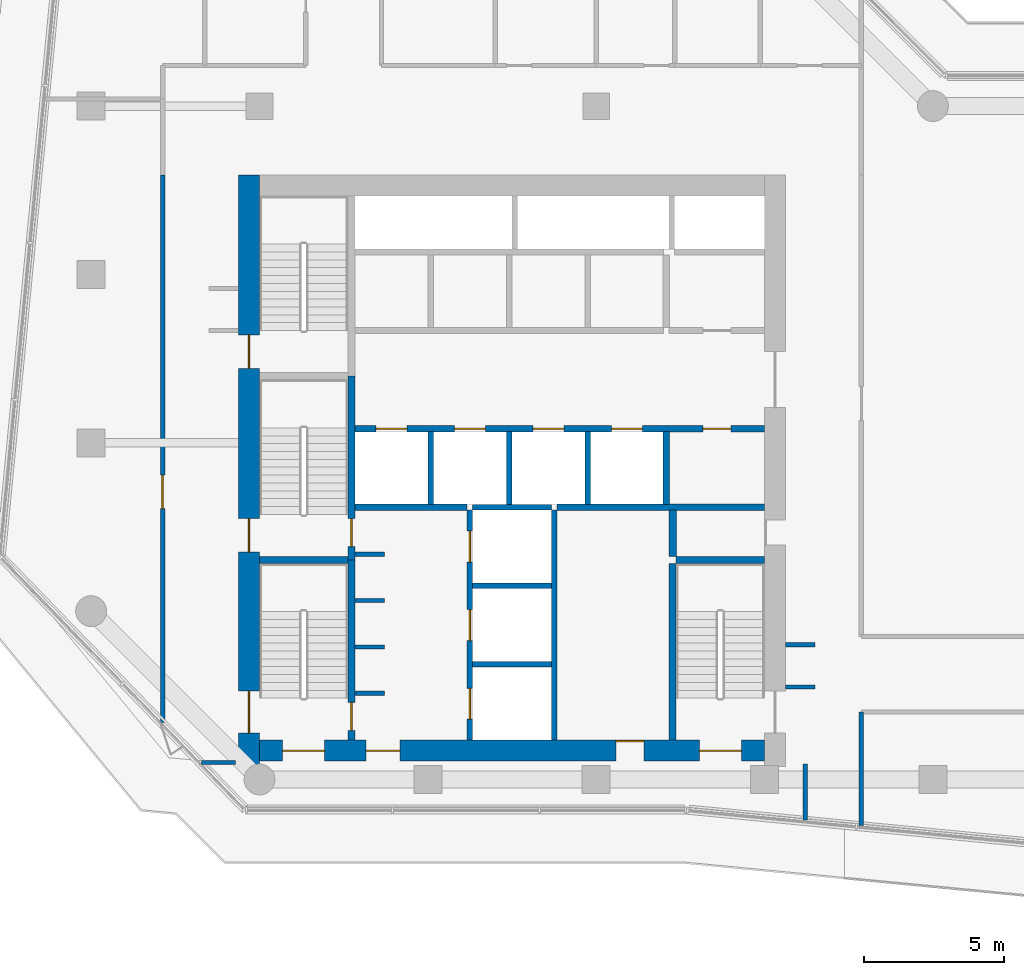
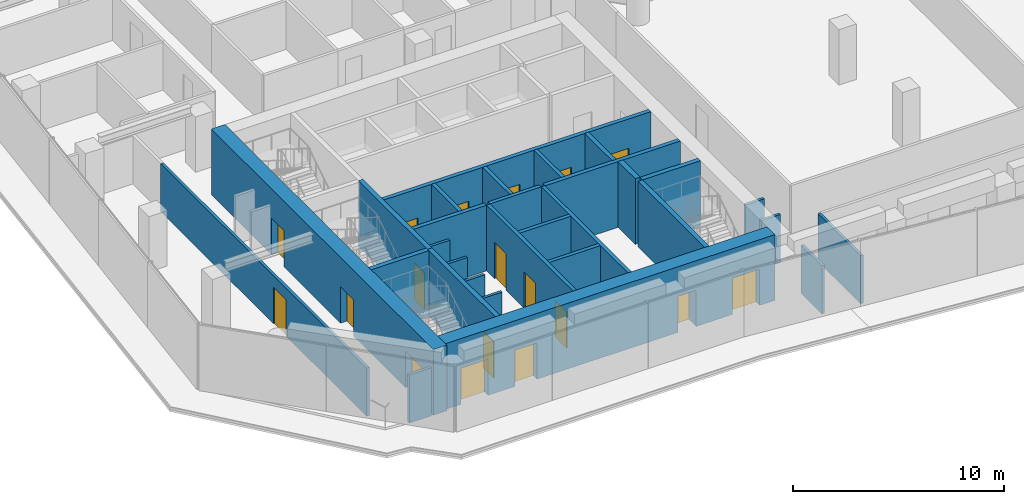
# One storey, part 8 of 12: 30 walls, 18 doors, 18 openings.
"""IFC4 building model written with IfcOpenShell, lengths in metres."""

from ifc_helpers import new_model, si_unit, direction, frame, frame_2d, origin, place, context, subcontext, project, spatial, rectangle, extrude, material, layer, layer_set, type_object, element, fill, save


model = new_model("IFC4")

# Units and contexts
model_context = context("Model", 3, precision=1e-05, world=origin(), true_north=direction((0.0, 1.0)))
body_context = subcontext(model_context, "Body", "Model", "MODEL_VIEW")
ifc_project = project(units=[si_unit("LENGTHUNIT", "METRE"), si_unit("AREAUNIT", "SQUARE_METRE"), si_unit("VOLUMEUNIT", "CUBIC_METRE"), si_unit("PLANEANGLEUNIT", "RADIAN"), si_unit("MASSUNIT", "GRAM", prefix="KILO")], contexts=[model_context])

# Site, building, storey
site_placement = place(None, origin())
site = spatial("IfcSite", under=ifc_project, at=site_placement, CompositionType="ELEMENT")
building_placement = place(site_placement, origin())
building = spatial("IfcBuilding", under=site, at=building_placement, Name="Welwitschia Terrace Campus", CompositionType="ELEMENT")
storey_placement = place(building_placement, frame((0.0, 0.0, 134.0)))
storey = spatial("IfcBuildingStorey", under=building, at=storey_placement, Name="L30", CompositionType="ELEMENT", Elevation=134.0)

# Walls
ifc_material_1 = material(Name="Concrete C32/40", Category="concrete")
ifc_layer_1 = layer(ifc_material_1, 0.22509765625)
ifc_layer_set_1 = layer_set([ifc_layer_1], Name="Concrete C32/40")
wall_type_1 = type_object("IfcWallType", Name="Core partition 225 Concrete C32/40", PredefinedType="PARTITIONING", material=ifc_layer_set_1)
wall_1_placement = place(storey_placement, frame((9.39990234375, 13.699951171875, 0.0), z_axis=(0.0, 0.0, 1.0), x_axis=(1.0, 0.0, 0.0)))
element("IfcWall", 1, at=wall_1_placement, inside=storey, type_object=wall_type_1, Name="Shaft wall", PredefinedType="PARTITIONING", context=body_context, shape_type="SweptSolid", body=[
    extrude(rectangle(XDim=4.0, YDim=0.22509765625, at=frame_2d((2.0, 0.0))), origin(), (0.0, 0.0, 1.0), 3.800048828125),
])
wall_2_placement = place(storey_placement, frame((16.60009765625, 13.699951171875, 0.0), z_axis=(0.0, 0.0, 1.0), x_axis=(1.0, 0.0, 0.0)))
element("IfcWall", 2, at=wall_2_placement, inside=storey, type_object=wall_type_1, Name="Shaft wall", PredefinedType="PARTITIONING", context=body_context, shape_type="SweptSolid", body=[
    extrude(rectangle(XDim=7.39990234375, YDim=0.22509765625, at=frame_2d((3.699951171875, 0.0))), origin(), (0.0, 0.0, 1.0), 3.800048828125),
])

# Wall, openings, doors
wall_3_placement = place(storey_placement, frame((9.39990234375, 16.5, 0.0), z_axis=(0.0, 0.0, 1.0), x_axis=(1.0, 0.0, 0.0)))
wall_3 = element("IfcWall", 3, at=wall_3_placement, inside=storey, type_object=wall_type_1, Name="Shaft wall", PredefinedType="PARTITIONING", context=body_context, shape_type="SweptSolid", body=[
    extrude(rectangle(XDim=14.60009765625, YDim=0.22509765625, at=frame_2d((7.300048828125, 0.0))), origin(), (0.0, 0.0, 1.0), 3.800048828125),
])
opening_1_placement = place(wall_3_placement, frame((0.75, 0.0, 0.0)))
opening_1 = element("IfcOpeningElement", 4, at=opening_1_placement, cuts=wall_3, Name="Opening LD", PredefinedType="OPENING", context=body_context, shape_type="SweptSolid", body=[
    extrude(rectangle(XDim=1.10009765625, YDim=2.10009765625, at=frame_2d((0.550048828125, 1.050048828125))), frame((0.0, 0.12255859375, 0.0), z_axis=(0.0, -1.0, 0.0), x_axis=(1.0, 0.0, 0.0)), (0.0, 0.0, 1.0), 0.2451171875),
])
opening_2_placement = place(wall_3_placement, frame((3.550048828125, 0.0, 0.0)))
opening_2 = element("IfcOpeningElement", 5, at=opening_2_placement, cuts=wall_3, Name="Opening LD", PredefinedType="OPENING", context=body_context, shape_type="SweptSolid", body=[
    extrude(rectangle(XDim=1.10009765625, YDim=2.10009765625, at=frame_2d((0.550048828125, 1.050048828125))), frame((0.0, 0.12255859375, 0.0), z_axis=(0.0, -1.0, 0.0), x_axis=(1.0, 0.0, 0.0)), (0.0, 0.0, 1.0), 0.2451171875),
])
opening_3_placement = place(wall_3_placement, frame((6.35009765625, 0.0, 0.0)))
opening_3 = element("IfcOpeningElement", 6, at=opening_3_placement, cuts=wall_3, Name="Opening LD", PredefinedType="OPENING", context=body_context, shape_type="SweptSolid", body=[
    extrude(rectangle(XDim=1.10009765625, YDim=2.10009765625, at=frame_2d((0.550048828125, 1.050048828125))), frame((0.0, 0.12255859375, 0.0), z_axis=(0.0, -1.0, 0.0), x_axis=(1.0, 0.0, 0.0)), (0.0, 0.0, 1.0), 0.2451171875),
])
opening_4_placement = place(wall_3_placement, frame((9.14990234375, 0.0, 0.0)))
opening_4 = element("IfcOpeningElement", 7, at=opening_4_placement, cuts=wall_3, Name="Opening LD", PredefinedType="OPENING", context=body_context, shape_type="SweptSolid", body=[
    extrude(rectangle(XDim=1.10009765625, YDim=2.10009765625, at=frame_2d((0.550048828125, 1.050048828125))), frame((0.0, 0.12255859375, 0.0), z_axis=(0.0, -1.0, 0.0), x_axis=(1.0, 0.0, 0.0)), (0.0, 0.0, 1.0), 0.2451171875),
])
opening_5_placement = place(wall_3_placement, frame((12.39990234375, 0.0, 0.0)))
opening_5 = element("IfcOpeningElement", 8, at=opening_5_placement, cuts=wall_3, Name="Opening DR10", PredefinedType="OPENING", context=body_context, shape_type="SweptSolid", body=[
    extrude(rectangle(XDim=1.0, YDim=2.10009765625, at=frame_2d((0.5, 1.050048828125))), frame((0.0, 0.12255859375, 0.0), z_axis=(0.0, -1.0, 0.0), x_axis=(1.0, 0.0, 0.0)), (0.0, 0.0, 1.0), 0.2451171875),
])
ifc_material_2 = material(Name="Steel S275", Category="steel")
door_type_1 = type_object("IfcDoorType", Name="Core door DR10", OperationType="SINGLE_SWING_LEFT", PredefinedType="DOOR", material=ifc_material_2)
door_1_placement = place(opening_5_placement, origin())
door_1 = element("IfcDoor", 9, at=door_1_placement, inside=storey, type_object=door_type_1, Name="Door EL-D", OperationType="SINGLE_SWING_RIGHT", OverallHeight=2.10009765625, OverallWidth=1.0, PredefinedType="DOOR", context=body_context, shape_type="SweptSolid", body=[
    extrude(rectangle(XDim=1.0, YDim=2.10009765625, at=frame_2d((0.5, 1.050048828125))), frame((0.0, 0.02490234375, 0.0), z_axis=(0.0, -1.0, 0.0), x_axis=(1.0, 0.0, 0.0)), (0.0, 0.0, 1.0), 0.050048828125),
])
fill(opening_5, door_1)
ifc_material_3 = material(Name="Stainless steel 304", Category="steel")
door_type_2 = type_object("IfcDoorType", Name="Lift landing door", OperationType="DOUBLE_DOOR_SLIDING", PredefinedType="DOOR", material=ifc_material_3)
door_2_placement = place(opening_1_placement, origin())
door_2 = element("IfcDoor", 10, at=door_2_placement, inside=storey, type_object=door_type_2, Name="Landing door LR1", OperationType="DOUBLE_DOOR_SLIDING", OverallHeight=2.10009765625, OverallWidth=1.10009765625, PredefinedType="DOOR", context=body_context, shape_type="SweptSolid", body=[
    extrude(rectangle(XDim=1.10009765625, YDim=2.10009765625, at=frame_2d((0.550048828125, 1.050048828125))), frame((0.0, 0.02490234375, 0.0), z_axis=(0.0, -1.0, 0.0), x_axis=(1.0, 0.0, 0.0)), (0.0, 0.0, 1.0), 0.050048828125),
])
fill(opening_1, door_2)
door_3_placement = place(opening_2_placement, origin())
door_3 = element("IfcDoor", 11, at=door_3_placement, inside=storey, type_object=door_type_2, Name="Landing door LR2", OperationType="DOUBLE_DOOR_SLIDING", OverallHeight=2.10009765625, OverallWidth=1.10009765625, PredefinedType="DOOR", context=body_context, shape_type="SweptSolid", body=[
    extrude(rectangle(XDim=1.10009765625, YDim=2.10009765625, at=frame_2d((0.550048828125, 1.050048828125))), frame((0.0, 0.02490234375, 0.0), z_axis=(0.0, -1.0, 0.0), x_axis=(1.0, 0.0, 0.0)), (0.0, 0.0, 1.0), 0.050048828125),
])
fill(opening_2, door_3)
door_4_placement = place(opening_3_placement, origin())
door_4 = element("IfcDoor", 12, at=door_4_placement, inside=storey, type_object=door_type_2, Name="Landing door LR3", OperationType="DOUBLE_DOOR_SLIDING", OverallHeight=2.10009765625, OverallWidth=1.10009765625, PredefinedType="DOOR", context=body_context, shape_type="SweptSolid", body=[
    extrude(rectangle(XDim=1.10009765625, YDim=2.10009765625, at=frame_2d((0.550048828125, 1.050048828125))), frame((0.0, 0.02490234375, 0.0), z_axis=(0.0, -1.0, 0.0), x_axis=(1.0, 0.0, 0.0)), (0.0, 0.0, 1.0), 0.050048828125),
])
fill(opening_3, door_4)
door_5_placement = place(opening_4_placement, origin())
door_5 = element("IfcDoor", 13, at=door_5_placement, inside=storey, type_object=door_type_2, Name="Landing door LR4", OperationType="DOUBLE_DOOR_SLIDING", OverallHeight=2.10009765625, OverallWidth=1.10009765625, PredefinedType="DOOR", context=body_context, shape_type="SweptSolid", body=[
    extrude(rectangle(XDim=1.10009765625, YDim=2.10009765625, at=frame_2d((0.550048828125, 1.050048828125))), frame((0.0, 0.02490234375, 0.0), z_axis=(0.0, -1.0, 0.0), x_axis=(1.0, 0.0, 0.0)), (0.0, 0.0, 1.0), 0.050048828125),
])
fill(opening_4, door_5)

# Walls
wall_4_placement = place(storey_placement, frame((20.5, 13.800048828125, 0.0), z_axis=(0.0, 0.0, 1.0), x_axis=(0.0, 1.0, 0.0)))
element("IfcWall", 14, at=wall_4_placement, inside=storey, type_object=wall_type_1, Name="Shaft wall", PredefinedType="PARTITIONING", context=body_context, shape_type="SweptSolid", body=[
    extrude(rectangle(XDim=2.599853515625, YDim=0.22509765625, at=frame_2d((1.2998046875, 0.0))), origin(), (0.0, 0.0, 1.0), 3.800048828125),
])
ifc_material_4 = material(Name="Concrete C32/40", Category="concrete")
ifc_layer_2 = layer(ifc_material_4, 0.27490234375)
ifc_layer_set_2 = layer_set([ifc_layer_2], Name="Concrete C32/40")
wall_type_2 = type_object("IfcWallType", Name="Core partition 275 Concrete C32/40", PredefinedType="PARTITIONING", material=ifc_layer_set_2)
wall_5_placement = place(storey_placement, frame((20.72509765625, 11.949951171875, 0.0), z_axis=(0.0, 0.0, 1.0), x_axis=(0.0, 1.0, 0.0)))
element("IfcWall", 15, at=wall_5_placement, inside=storey, type_object=wall_type_2, Name="Core partition", PredefinedType="PARTITIONING", context=body_context, shape_type="SweptSolid", body=[
    extrude(rectangle(XDim=1.650146484375, YDim=0.27490234375, at=frame_2d((0.8251953125, 0.0))), origin(), (0.0, 0.0, 1.0), 3.800048828125),
])
ifc_material_5 = material(Name="Concrete C50/60", Category="concrete")
ifc_layer_3 = layer(ifc_material_5, 0.14990234375)
ifc_layer_set_3 = layer_set([ifc_layer_3], Name="Concrete C50/60")
wall_type_3 = type_object("IfcWallType", Name="Core wall 150 Concrete C50/60", PredefinedType="SHEAR", material=ifc_layer_set_3)
for number, where, z_axis, x_axis, name in (
    (16, (9.39990234375, 7.074951171875, 0.0), (0.0, 0.0, 1.0), (1.0, 0.0, 0.0), "Core wall"),
    (17, (9.39990234375, 8.72509765625, 0.0), (0.0, 0.0, 1.0), (1.0, 0.0, 0.0), "Core wall"),
    (18, (9.39990234375, 10.375, 0.0), (0.0, 0.0, 1.0), (1.0, 0.0, 0.0), "Core wall"),
    (19, (9.39990234375, 12.02490234375, 0.0), (0.0, 0.0, 1.0), (1.0, 0.0, 0.0), "Core wall"),
):
    element("IfcWall", number, at=place(storey_placement, frame(where, z_axis=z_axis, x_axis=x_axis)), inside=storey, type_object=wall_type_3, Name=name, PredefinedType="SHEAR", context=body_context, shape_type="SweptSolid", body=[
        extrude(rectangle(XDim=1.050048828125, YDim=0.14990234375, at=frame_2d((0.52490234375, 0.0))), origin(), (0.0, 0.0, 1.0), 3.800048828125),
    ])
ifc_material_6 = material(Name="Concrete C50/60", Category="concrete")
ifc_layer_4 = layer(ifc_material_6, 0.199951171875)
ifc_layer_set_4 = layer_set([ifc_layer_4], Name="Concrete C50/60")
wall_type_4 = type_object("IfcWallType", Name="Core wall 200 Concrete C50/60", PredefinedType="SHEAR", material=ifc_layer_set_4)
for number, where, z_axis, x_axis, name in (
    (20, (13.60009765625, 8.10009765625, 0.0), (0.0, 0.0, 1.0), (1.0, 0.0, 0.0), "Core wall"),
    (21, (13.60009765625, 10.89990234375, 0.0), (0.0, 0.0, 1.0), (1.0, 0.0, 0.0), "Core wall"),
    (22, (13.60009765625, 13.699951171875, 0.0), (0.0, 0.0, 1.0), (1.0, 0.0, 0.0), "Core wall"),
):
    element("IfcWall", number, at=place(storey_placement, frame(where, z_axis=z_axis, x_axis=x_axis)), inside=storey, type_object=wall_type_4, Name=name, PredefinedType="SHEAR", context=body_context, shape_type="SweptSolid", body=[
        extrude(rectangle(XDim=2.7998046875, YDim=0.199951171875, at=frame_2d((1.39990234375, 0.0))), origin(), (0.0, 0.0, 1.0), 3.800048828125),
    ])

# Wall, openings, doors
wall_6_placement = place(storey_placement, frame((13.5, 5.39990234375, 0.0), z_axis=(0.0, 0.0, 1.0), x_axis=(0.0, 1.0, 0.0)))
wall_6 = element("IfcWall", 23, at=wall_6_placement, inside=storey, type_object=wall_type_4, Name="Core wall", PredefinedType="SHEAR", context=body_context, shape_type="SweptSolid", body=[
    extrude(rectangle(XDim=8.2001953125, YDim=0.199951171875, at=frame_2d((4.10009765625, 0.0))), origin(), (0.0, 0.0, 1.0), 3.800048828125),
])
opening_6_placement = place(wall_6_placement, frame((0.75, 0.0, 0.0)))
opening_6 = element("IfcOpeningElement", 24, at=opening_6_placement, cuts=wall_6, Name="Opening LD", PredefinedType="OPENING", context=body_context, shape_type="SweptSolid", body=[
    extrude(rectangle(XDim=1.10009765625, YDim=2.10009765625, at=frame_2d((0.550048828125, 1.050048828125))), frame((0.0, 0.10986328125, 0.0), z_axis=(0.0, -1.0, 0.0), x_axis=(1.0, 0.0, 0.0)), (0.0, 0.0, 1.0), 0.219970703125),
])
opening_7_placement = place(wall_6_placement, frame((3.550048828125, 0.0, 0.0)))
opening_7 = element("IfcOpeningElement", 25, at=opening_7_placement, cuts=wall_6, Name="Opening LD", PredefinedType="OPENING", context=body_context, shape_type="SweptSolid", body=[
    extrude(rectangle(XDim=1.10009765625, YDim=2.10009765625, at=frame_2d((0.550048828125, 1.050048828125))), frame((0.0, 0.10986328125, 0.0), z_axis=(0.0, -1.0, 0.0), x_axis=(1.0, 0.0, 0.0)), (0.0, 0.0, 1.0), 0.219970703125),
])
opening_8_placement = place(wall_6_placement, frame((6.35009765625, 0.0, 0.0)))
opening_8 = element("IfcOpeningElement", 26, at=opening_8_placement, cuts=wall_6, Name="Opening LD", PredefinedType="OPENING", context=body_context, shape_type="SweptSolid", body=[
    extrude(rectangle(XDim=1.10009765625, YDim=2.10009765625, at=frame_2d((0.550048828125, 1.050048828125))), frame((0.0, 0.10986328125, 0.0), z_axis=(0.0, -1.0, 0.0), x_axis=(1.0, 0.0, 0.0)), (0.0, 0.0, 1.0), 0.219970703125),
])
door_6_placement = place(opening_6_placement, origin())
door_6 = element("IfcDoor", 27, at=door_6_placement, inside=storey, type_object=door_type_2, Name="Landing door FF1", OperationType="DOUBLE_DOOR_SLIDING", OverallHeight=2.10009765625, OverallWidth=1.10009765625, PredefinedType="DOOR", context=body_context, shape_type="SweptSolid", body=[
    extrude(rectangle(XDim=1.10009765625, YDim=2.10009765625, at=frame_2d((0.550048828125, 1.050048828125))), frame((0.0, 0.02490234375, 0.0), z_axis=(0.0, -1.0, 0.0), x_axis=(1.0, 0.0, 0.0)), (0.0, 0.0, 1.0), 0.050048828125),
])
fill(opening_6, door_6)
door_7_placement = place(opening_7_placement, origin())
door_7 = element("IfcDoor", 28, at=door_7_placement, inside=storey, type_object=door_type_2, Name="Landing door FF2", OperationType="DOUBLE_DOOR_SLIDING", OverallHeight=2.10009765625, OverallWidth=1.10009765625, PredefinedType="DOOR", context=body_context, shape_type="SweptSolid", body=[
    extrude(rectangle(XDim=1.10009765625, YDim=2.10009765625, at=frame_2d((0.550048828125, 1.050048828125))), frame((0.0, 0.02490234375, 0.0), z_axis=(0.0, -1.0, 0.0), x_axis=(1.0, 0.0, 0.0)), (0.0, 0.0, 1.0), 0.050048828125),
])
fill(opening_7, door_7)
door_8_placement = place(opening_8_placement, origin())
door_8 = element("IfcDoor", 29, at=door_8_placement, inside=storey, type_object=door_type_2, Name="Landing door SV1", OperationType="DOUBLE_DOOR_SLIDING", OverallHeight=2.10009765625, OverallWidth=1.10009765625, PredefinedType="DOOR", context=body_context, shape_type="SweptSolid", body=[
    extrude(rectangle(XDim=1.10009765625, YDim=2.10009765625, at=frame_2d((0.550048828125, 1.050048828125))), frame((0.0, 0.02490234375, 0.0), z_axis=(0.0, -1.0, 0.0), x_axis=(1.0, 0.0, 0.0)), (0.0, 0.0, 1.0), 0.050048828125),
])
fill(opening_8, door_8)

# Walls
wall_7_placement = place(storey_placement, frame((16.5, 5.39990234375, 0.0), z_axis=(0.0, 0.0, 1.0), x_axis=(0.0, 1.0, 0.0)))
element("IfcWall", 30, at=wall_7_placement, inside=storey, type_object=wall_type_4, Name="Core wall", PredefinedType="SHEAR", context=body_context, shape_type="SweptSolid", body=[
    extrude(rectangle(XDim=8.2001953125, YDim=0.199951171875, at=frame_2d((4.10009765625, 0.0))), origin(), (0.0, 0.0, 1.0), 3.800048828125),
])
ifc_material_7 = material(Name="Concrete C50/60", Category="concrete")
ifc_layer_5 = layer(ifc_material_7, 0.25)
ifc_layer_set_5 = layer_set([ifc_layer_5], Name="Concrete C50/60")
wall_type_5 = type_object("IfcWallType", Name="Core wall 250 Concrete C50/60", PredefinedType="SHEAR", material=ifc_layer_set_5)
for number, where, z_axis, x_axis, name in (
    (31, (6.0, 11.824951171875, 0.0), (0.0, 0.0, 1.0), (1.0, 0.0, 0.0), "Core wall"),
    (32, (20.85009765625, 11.824951171875, 0.0), (0.0, 0.0, 1.0), (1.0, 0.0, 0.0), "Core wall"),
):
    element("IfcWall", number, at=place(storey_placement, frame(where, z_axis=z_axis, x_axis=x_axis)), inside=storey, type_object=wall_type_5, Name=name, PredefinedType="SHEAR", context=body_context, shape_type="SweptSolid", body=[
        extrude(rectangle(XDim=3.14990234375, YDim=0.25, at=frame_2d((1.574951171875, 0.0))), origin(), (0.0, 0.0, 1.0), 3.800048828125),
    ])

# Wall, opening, door
wall_8_placement = place(storey_placement, frame((9.27490234375, 11.824951171875, 0.0), z_axis=(0.0, 0.0, 1.0), x_axis=(0.0, -1.0, 0.0)))
wall_8 = element("IfcWall", 33, at=wall_8_placement, inside=storey, type_object=wall_type_5, Name="Core wall", PredefinedType="SHEAR", context=body_context, shape_type="SweptSolid", body=[
    extrude(rectangle(XDim=6.425048828125, YDim=0.25, at=frame_2d((3.21240234375, 0.0))), origin(), (0.0, 0.0, 1.0), 3.800048828125),
])
opening_9_placement = place(wall_8_placement, frame((5.074951171875, 0.0, 0.0)))
opening_9 = element("IfcOpeningElement", 34, at=opening_9_placement, cuts=wall_8, Name="Opening DS10", PredefinedType="OPENING", context=body_context, shape_type="SweptSolid", body=[
    extrude(rectangle(XDim=1.0, YDim=2.10009765625, at=frame_2d((0.5, 1.050048828125))), frame((0.0, 0.135009765625, 0.0), z_axis=(0.0, -1.0, 0.0), x_axis=(1.0, 0.0, 0.0)), (0.0, 0.0, 1.0), 0.27001953125),
])
ifc_material_8 = material(Name="Steel S275", Category="steel")
door_type_3 = type_object("IfcDoorType", Name="Core door DS10", OperationType="SINGLE_SWING_LEFT", PredefinedType="DOOR", material=ifc_material_8)
door_9_placement = place(opening_9_placement, origin())
door_9 = element("IfcDoor", 35, at=door_9_placement, inside=storey, type_object=door_type_3, Name="Door S1-FL", OperationType="SINGLE_SWING_RIGHT", OverallHeight=2.10009765625, OverallWidth=1.0, PredefinedType="DOOR", context=body_context, shape_type="SweptSolid", body=[
    extrude(rectangle(XDim=1.0, YDim=2.10009765625, at=frame_2d((0.5, 1.050048828125))), frame((0.0, 0.02490234375, 0.0), z_axis=(0.0, -1.0, 0.0), x_axis=(1.0, 0.0, 0.0)), (0.0, 0.0, 1.0), 0.050048828125),
])
fill(opening_9, door_9)

wall_9_placement = place(storey_placement, frame((9.27490234375, 18.375, 0.0), z_axis=(0.0, 0.0, 1.0), x_axis=(0.0, -1.0, 0.0)))
wall_9 = element("IfcWall", 36, at=wall_9_placement, inside=storey, type_object=wall_type_5, Name="Core wall", PredefinedType="SHEAR", context=body_context, shape_type="SweptSolid", body=[
    extrude(rectangle(XDim=6.550048828125, YDim=0.25, at=frame_2d((3.27490234375, 0.0))), origin(), (0.0, 0.0, 1.0), 3.800048828125),
])
opening_10_placement = place(wall_9_placement, frame((5.074951171875, 0.0, 0.0)))
opening_10 = element("IfcOpeningElement", 37, at=opening_10_placement, cuts=wall_9, Name="Opening DS10", PredefinedType="OPENING", context=body_context, shape_type="SweptSolid", body=[
    extrude(rectangle(XDim=1.0, YDim=2.10009765625, at=frame_2d((0.5, 1.050048828125))), frame((0.0, 0.135009765625, 0.0), z_axis=(0.0, -1.0, 0.0), x_axis=(1.0, 0.0, 0.0)), (0.0, 0.0, 1.0), 0.27001953125),
])
door_10_placement = place(opening_10_placement, origin())
door_10 = element("IfcDoor", 38, at=door_10_placement, inside=storey, type_object=door_type_3, Name="Door S3-FL", OperationType="SINGLE_SWING_RIGHT", OverallHeight=2.10009765625, OverallWidth=1.0, PredefinedType="DOOR", context=body_context, shape_type="SweptSolid", body=[
    extrude(rectangle(XDim=1.0, YDim=2.10009765625, at=frame_2d((0.5, 1.050048828125))), frame((0.0, 0.02490234375, 0.0), z_axis=(0.0, -1.0, 0.0), x_axis=(1.0, 0.0, 0.0)), (0.0, 0.0, 1.0), 0.050048828125),
])
fill(opening_10, door_10)

# Wall
wall_10_placement = place(storey_placement, frame((20.72509765625, 5.39990234375, 0.0), z_axis=(0.0, 0.0, 1.0), x_axis=(0.0, 1.0, 0.0)))
element("IfcWall", 39, at=wall_10_placement, inside=storey, type_object=wall_type_5, Name="Core wall", PredefinedType="SHEAR", context=body_context, shape_type="SweptSolid", body=[
    extrude(rectangle(XDim=6.300048828125, YDim=0.25, at=frame_2d((3.14990234375, 0.0))), origin(), (0.0, 0.0, 1.0), 3.800048828125),
])

# Wall, openings, doors
ifc_material_9 = material(Name="Concrete C70/85", Category="concrete")
ifc_layer_6 = layer(ifc_material_9, 0.75)
ifc_layer_set_6 = layer_set([ifc_layer_6], Name="Concrete C70/85")
wall_type_6 = type_object("IfcWallType", Name="Core wall 750 Concrete C70/85", PredefinedType="SHEAR", material=ifc_layer_set_6)
wall_11_placement = place(storey_placement, frame((5.625, 4.52001953125, 0.0), z_axis=(0.0, 0.0, 1.0), x_axis=(0.0, 1.0, 0.0)))
wall_11 = element("IfcWall", 40, at=wall_11_placement, inside=storey, type_object=wall_type_6, Name="Core outer wall", PredefinedType="SHEAR", context=body_context, shape_type="SweptSolid", body=[
    extrude(rectangle(XDim=21.030029296875, YDim=0.75, at=frame_2d((10.51513671875, 0.0))), origin(), (0.0, 0.0, 1.0), 3.800048828125),
])
opening_11_placement = place(wall_11_placement, frame((1.1298828125, 0.0, 0.0)))
opening_11 = element("IfcOpeningElement", 41, at=opening_11_placement, cuts=wall_11, Name="Opening DS15", PredefinedType="OPENING", context=body_context, shape_type="SweptSolid", body=[
    extrude(rectangle(XDim=1.5, YDim=2.10009765625, at=frame_2d((0.75, 1.050048828125))), frame((0.0, 0.385009765625, 0.0), z_axis=(0.0, -1.0, 0.0), x_axis=(1.0, 0.0, 0.0)), (0.0, 0.0, 1.0), 0.77001953125),
])
opening_12_placement = place(wall_11_placement, frame((7.580078125, 0.0, 0.0)))
opening_12 = element("IfcOpeningElement", 42, at=opening_12_placement, cuts=wall_11, Name="Opening DS12", PredefinedType="OPENING", context=body_context, shape_type="SweptSolid", body=[
    extrude(rectangle(XDim=1.199951171875, YDim=2.10009765625, at=frame_2d((0.60009765625, 1.050048828125))), frame((0.0, 0.385009765625, 0.0), z_axis=(0.0, -1.0, 0.0), x_axis=(1.0, 0.0, 0.0)), (0.0, 0.0, 1.0), 0.77001953125),
])
opening_13_placement = place(wall_11_placement, frame((14.1298828125, 0.0, 0.0)))
opening_13 = element("IfcOpeningElement", 43, at=opening_13_placement, cuts=wall_11, Name="Opening DS12", PredefinedType="OPENING", context=body_context, shape_type="SweptSolid", body=[
    extrude(rectangle(XDim=1.199951171875, YDim=2.10009765625, at=frame_2d((0.60009765625, 1.050048828125))), frame((0.0, 0.385009765625, 0.0), z_axis=(0.0, -1.0, 0.0), x_axis=(1.0, 0.0, 0.0)), (0.0, 0.0, 1.0), 0.77001953125),
])
ifc_material_10 = material(Name="Steel S275", Category="steel")
door_type_4 = type_object("IfcDoorType", Name="Core door DS12", OperationType="SINGLE_SWING_LEFT", PredefinedType="DOOR", material=ifc_material_10)
door_11_placement = place(opening_12_placement, origin())
door_11 = element("IfcDoor", 44, at=door_11_placement, inside=storey, type_object=door_type_4, Name="Door S3-out", OperationType="SINGLE_SWING_LEFT", OverallHeight=2.10009765625, OverallWidth=1.199951171875, PredefinedType="DOOR", context=body_context, shape_type="SweptSolid", body=[
    extrude(rectangle(XDim=1.199951171875, YDim=2.10009765625, at=frame_2d((0.60009765625, 1.050048828125))), frame((0.0, 0.02490234375, 0.0), z_axis=(0.0, -1.0, 0.0), x_axis=(1.0, 0.0, 0.0)), (0.0, 0.0, 1.0), 0.050048828125),
])
fill(opening_12, door_11)
door_12_placement = place(opening_13_placement, origin())
door_12 = element("IfcDoor", 45, at=door_12_placement, inside=storey, type_object=door_type_4, Name="Door S4-out", OperationType="SINGLE_SWING_RIGHT", OverallHeight=2.10009765625, OverallWidth=1.199951171875, PredefinedType="DOOR", context=body_context, shape_type="SweptSolid", body=[
    extrude(rectangle(XDim=1.199951171875, YDim=2.10009765625, at=frame_2d((0.60009765625, 1.050048828125))), frame((0.0, 0.02490234375, 0.0), z_axis=(0.0, -1.0, 0.0), x_axis=(1.0, 0.0, 0.0)), (0.0, 0.0, 1.0), 0.050048828125),
])
fill(opening_13, door_12)
ifc_material_11 = material(Name="Steel S275", Category="steel")
door_type_5 = type_object("IfcDoorType", Name="Core door DS15", OperationType="DOUBLE_DOOR_SINGLE_SWING", PredefinedType="DOOR", material=ifc_material_11)
door_13_placement = place(opening_11_placement, origin())
door_13 = element("IfcDoor", 46, at=door_13_placement, inside=storey, type_object=door_type_5, Name="Door S1-out", OperationType="DOUBLE_DOOR_SINGLE_SWING", OverallHeight=2.10009765625, OverallWidth=1.5, PredefinedType="DOOR", context=body_context, shape_type="SweptSolid", body=[
    extrude(rectangle(XDim=1.5, YDim=2.10009765625, at=frame_2d((0.75, 1.050048828125))), frame((0.0, 0.02490234375, 0.0), z_axis=(0.0, -1.0, 0.0), x_axis=(1.0, 0.0, 0.0)), (0.0, 0.0, 1.0), 0.050048828125),
])
fill(opening_11, door_13)

wall_12_placement = place(storey_placement, frame((24.0, 5.02490234375, 0.0), z_axis=(0.0, 0.0, 1.0), x_axis=(-1.0, 0.0, 0.0)))
wall_12 = element("IfcWall", 47, at=wall_12_placement, inside=storey, type_object=wall_type_6, Name="Core outer wall", PredefinedType="SHEAR", context=body_context, shape_type="SweptSolid", body=[
    extrude(rectangle(XDim=18.0, YDim=0.75, at=frame_2d((9.0, 0.0))), origin(), (0.0, 0.0, 1.0), 3.800048828125),
])
opening_14_placement = place(wall_12_placement, frame((0.824951171875, 0.0, 0.0)))
opening_14 = element("IfcOpeningElement", 48, at=opening_14_placement, cuts=wall_12, Name="Opening DS15", PredefinedType="OPENING", context=body_context, shape_type="SweptSolid", body=[
    extrude(rectangle(XDim=1.5, YDim=2.10009765625, at=frame_2d((0.75, 1.050048828125))), frame((0.0, 0.385009765625, 0.0), z_axis=(0.0, -1.0, 0.0), x_axis=(1.0, 0.0, 0.0)), (0.0, 0.0, 1.0), 0.77001953125),
])
opening_15_placement = place(wall_12_placement, frame((15.675048828125, 0.0, 0.0)))
opening_15 = element("IfcOpeningElement", 49, at=opening_15_placement, cuts=wall_12, Name="Opening DS15", PredefinedType="OPENING", context=body_context, shape_type="SweptSolid", body=[
    extrude(rectangle(XDim=1.5, YDim=2.10009765625, at=frame_2d((0.75, 1.050048828125))), frame((0.0, 0.385009765625, 0.0), z_axis=(0.0, -1.0, 0.0), x_axis=(1.0, 0.0, 0.0)), (0.0, 0.0, 1.0), 0.77001953125),
])
opening_16_placement = place(wall_12_placement, frame((13.0, 0.0, 0.0)))
opening_16 = element("IfcOpeningElement", 50, at=opening_16_placement, cuts=wall_12, Name="Opening DF12", PredefinedType="OPENING", context=body_context, shape_type="SweptSolid", body=[
    extrude(rectangle(XDim=1.199951171875, YDim=2.10009765625, at=frame_2d((0.60009765625, 1.050048828125))), frame((0.0, 0.385009765625, 0.0), z_axis=(0.0, -1.0, 0.0), x_axis=(1.0, 0.0, 0.0)), (0.0, 0.0, 1.0), 0.77001953125),
])
opening_17_placement = place(wall_12_placement, frame((4.300048828125, 0.0, 0.0)))
opening_17 = element("IfcOpeningElement", 51, at=opening_17_placement, cuts=wall_12, Name="Opening DR10", PredefinedType="OPENING", context=body_context, shape_type="SweptSolid", body=[
    extrude(rectangle(XDim=1.0, YDim=2.10009765625, at=frame_2d((0.5, 1.050048828125))), frame((0.0, 0.385009765625, 0.0), z_axis=(0.0, -1.0, 0.0), x_axis=(1.0, 0.0, 0.0)), (0.0, 0.0, 1.0), 0.77001953125),
])
ifc_material_12 = material(Name="Steel S275", Category="steel")
door_type_6 = type_object("IfcDoorType", Name="Core door DF12", OperationType="SINGLE_SWING_LEFT", PredefinedType="DOOR", material=ifc_material_12)
door_14_placement = place(opening_16_placement, origin())
door_14 = element("IfcDoor", 52, at=door_14_placement, inside=storey, type_object=door_type_6, Name="Door FL-out", OperationType="SINGLE_SWING_RIGHT", OverallHeight=2.10009765625, OverallWidth=1.199951171875, PredefinedType="DOOR", context=body_context, shape_type="SweptSolid", body=[
    extrude(rectangle(XDim=1.199951171875, YDim=2.10009765625, at=frame_2d((0.60009765625, 1.050048828125))), frame((0.0, 0.02490234375, 0.0), z_axis=(0.0, -1.0, 0.0), x_axis=(1.0, 0.0, 0.0)), (0.0, 0.0, 1.0), 0.050048828125),
])
fill(opening_16, door_14)
door_15_placement = place(opening_17_placement, origin())
door_15 = element("IfcDoor", 53, at=door_15_placement, inside=storey, type_object=door_type_1, Name="Door F1-out", OperationType="SINGLE_SWING_LEFT", OverallHeight=2.10009765625, OverallWidth=1.0, PredefinedType="DOOR", context=body_context, shape_type="SweptSolid", body=[
    extrude(rectangle(XDim=1.0, YDim=2.10009765625, at=frame_2d((0.5, 1.050048828125))), frame((0.0, -0.31494140625, 0.0), z_axis=(0.0, -1.0, 0.0), x_axis=(1.0, 0.0, 0.0)), (0.0, 0.0, 1.0), 0.050048828125),
])
fill(opening_17, door_15)
door_16_placement = place(opening_14_placement, origin())
door_16 = element("IfcDoor", 54, at=door_16_placement, inside=storey, type_object=door_type_5, Name="Door S2-outS", OperationType="DOUBLE_DOOR_SINGLE_SWING", OverallHeight=2.10009765625, OverallWidth=1.5, PredefinedType="DOOR", context=body_context, shape_type="SweptSolid", body=[
    extrude(rectangle(XDim=1.5, YDim=2.10009765625, at=frame_2d((0.75, 1.050048828125))), frame((0.0, 0.02490234375, 0.0), z_axis=(0.0, -1.0, 0.0), x_axis=(1.0, 0.0, 0.0)), (0.0, 0.0, 1.0), 0.050048828125),
])
fill(opening_14, door_16)
door_17_placement = place(opening_15_placement, origin())
door_17 = element("IfcDoor", 55, at=door_17_placement, inside=storey, type_object=door_type_5, Name="Door S1-outS", OperationType="DOUBLE_DOOR_SINGLE_SWING", OverallHeight=2.10009765625, OverallWidth=1.5, PredefinedType="DOOR", context=body_context, shape_type="SweptSolid", body=[
    extrude(rectangle(XDim=1.5, YDim=2.10009765625, at=frame_2d((0.75, 1.050048828125))), frame((0.0, 0.02490234375, 0.0), z_axis=(0.0, -1.0, 0.0), x_axis=(1.0, 0.0, 0.0)), (0.0, 0.0, 1.0), 0.050048828125),
])
fill(opening_15, door_17)

# Wall, opening, door
ifc_material_13 = material(Name="Gypsum board on steel studs", Category="steel")
ifc_layer_7 = layer(ifc_material_13, 0.14990234375)
ifc_layer_set_7 = layer_set([ifc_layer_7], Name="Gypsum board on steel studs")
wall_type_7 = type_object("IfcWallType", Name="Corridor partition 150 EI 30", PredefinedType="PARTITIONING", material=ifc_layer_set_7)
wall_13_placement = place(storey_placement, frame((2.550048828125, 6.030029296875, 0.0), z_axis=(0.0, 0.0, 1.0), x_axis=(0.0, 1.0, 0.0)))
wall_13 = element("IfcWall", 56, at=wall_13_placement, inside=storey, type_object=wall_type_7, Name="Partition", PredefinedType="PARTITIONING", context=body_context, shape_type="SweptSolid", body=[
    extrude(rectangle(XDim=19.52001953125, YDim=0.14990234375, at=frame_2d((9.760009765625, 0.0))), origin(), (0.0, 0.0, 1.0), 2.780029296875),
])
opening_18_placement = place(wall_13_placement, frame((7.6201171875, 0.0, 0.0)))
opening_18 = element("IfcOpeningElement", 57, at=opening_18_placement, cuts=wall_13, Name="Opening DX12", PredefinedType="OPENING", context=body_context, shape_type="SweptSolid", body=[
    extrude(rectangle(XDim=1.199951171875, YDim=2.10009765625, at=frame_2d((0.60009765625, 1.050048828125))), frame((0.0, 0.0849609375, 0.0), z_axis=(0.0, -1.0, 0.0), x_axis=(1.0, 0.0, 0.0)), (0.0, 0.0, 1.0), 0.169921875),
])
ifc_material_14 = material(Name="Timber veneered door", Category="wood")
door_type_7 = type_object("IfcDoorType", Name="Interior door DX12", OperationType="NOTDEFINED", PredefinedType="DOOR", material=ifc_material_14)
door_18_placement = place(opening_18_placement, origin())
door_18 = element("IfcDoor", 58, at=door_18_placement, inside=storey, type_object=door_type_7, Name="Door L30 634", OperationType="SINGLE_SWING_LEFT", OverallHeight=2.10009765625, OverallWidth=1.199951171875, PredefinedType="DOOR", context=body_context, shape_type="SweptSolid", body=[
    extrude(rectangle(XDim=1.199951171875, YDim=2.10009765625, at=frame_2d((0.60009765625, 1.050048828125))), frame((0.0, 0.02490234375, 0.0), z_axis=(0.0, -1.0, 0.0), x_axis=(1.0, 0.0, 0.0)), (0.0, 0.0, 1.0), 0.050048828125),
])
fill(opening_18, door_18)

# Walls
wall_14_placement = place(storey_placement, frame((3.93994140625, 4.60009765625, 0.0), z_axis=(0.0, 0.0, 1.0), x_axis=(1.0, 0.0, 0.0)))
element("IfcWall", 59, at=wall_14_placement, inside=storey, type_object=wall_type_7, Name="Partition", PredefinedType="PARTITIONING", context=body_context, shape_type="SweptSolid", body=[
    extrude(rectangle(XDim=1.2099609375, YDim=0.14990234375, at=frame_2d((0.60498046875, 0.0))), origin(), (0.0, 0.0, 1.0), 2.780029296875),
])
for number, where, z_axis, x_axis, name in (
    (60, (24.75, 7.300048828125, 0.0), (0.0, 0.0, 1.0), (1.0, 0.0, 0.0), "Partition"),
    (61, (24.75, 8.800048828125, 0.0), (0.0, 0.0, 1.0), (1.0, 0.0, 0.0), "Partition"),
):
    element("IfcWall", number, at=place(storey_placement, frame(where, z_axis=z_axis, x_axis=x_axis)), inside=storey, type_object=wall_type_7, Name=name, PredefinedType="PARTITIONING", context=body_context, shape_type="SweptSolid", body=[
        extrude(rectangle(XDim=1.050048828125, YDim=0.14990234375, at=frame_2d((0.52490234375, 0.0))), origin(), (0.0, 0.0, 1.0), 2.780029296875),
    ])
wall_15_placement = place(storey_placement, frame((25.449951171875, 2.56005859375, 0.0), z_axis=(0.0, 0.0, 1.0), x_axis=(0.0, 1.0, 0.0)))
element("IfcWall", 62, at=wall_15_placement, inside=storey, type_object=wall_type_7, Name="Partition", PredefinedType="PARTITIONING", context=body_context, shape_type="SweptSolid", body=[
    extrude(rectangle(XDim=1.989990234375, YDim=0.14990234375, at=frame_2d((0.9951171875, 0.0))), origin(), (0.0, 0.0, 1.0), 2.780029296875),
])
wall_16_placement = place(storey_placement, frame((27.449951171875, 2.360107421875, 0.0), z_axis=(0.0, 0.0, 1.0), x_axis=(0.0, 1.0, 0.0)))
element("IfcWall", 63, at=wall_16_placement, inside=storey, type_object=wall_type_7, Name="Partition", PredefinedType="PARTITIONING", context=body_context, shape_type="SweptSolid", body=[
    extrude(rectangle(XDim=4.039794921875, YDim=0.14990234375, at=frame_2d((2.02001953125, 0.0))), origin(), (0.0, 0.0, 1.0), 2.780029296875),
])
ifc_material_15 = material(Name="Concrete C32/40", Category="concrete")
ifc_layer_8 = layer(ifc_material_15, 0.199951171875)
ifc_layer_set_8 = layer_set([ifc_layer_8], Name="Concrete C32/40")
wall_type_8 = type_object("IfcWallType", Name="Shaft wall 200 Concrete C32/40", PredefinedType="SOLIDWALL", material=ifc_layer_set_8)
for number, where, z_axis, x_axis, name in (
    (64, (12.10009765625, 13.800048828125, 0.0), (0.0, 0.0, 1.0), (0.0, 1.0, 0.0), "Shaft wall"),
    (65, (14.89990234375, 13.800048828125, 0.0), (0.0, 0.0, 1.0), (0.0, 1.0, 0.0), "Shaft wall"),
    (66, (17.699951171875, 13.800048828125, 0.0), (0.0, 0.0, 1.0), (0.0, 1.0, 0.0), "Shaft wall"),
):
    element("IfcWall", number, at=place(storey_placement, frame(where, z_axis=z_axis, x_axis=x_axis)), inside=storey, type_object=wall_type_8, Name=name, PredefinedType="SOLIDWALL", context=body_context, shape_type="SweptSolid", body=[
        extrude(rectangle(XDim=2.599853515625, YDim=0.199951171875, at=frame_2d((1.2998046875, 0.0))), origin(), (0.0, 0.0, 1.0), 3.800048828125),
    ])

save(model, "model.ifc")
